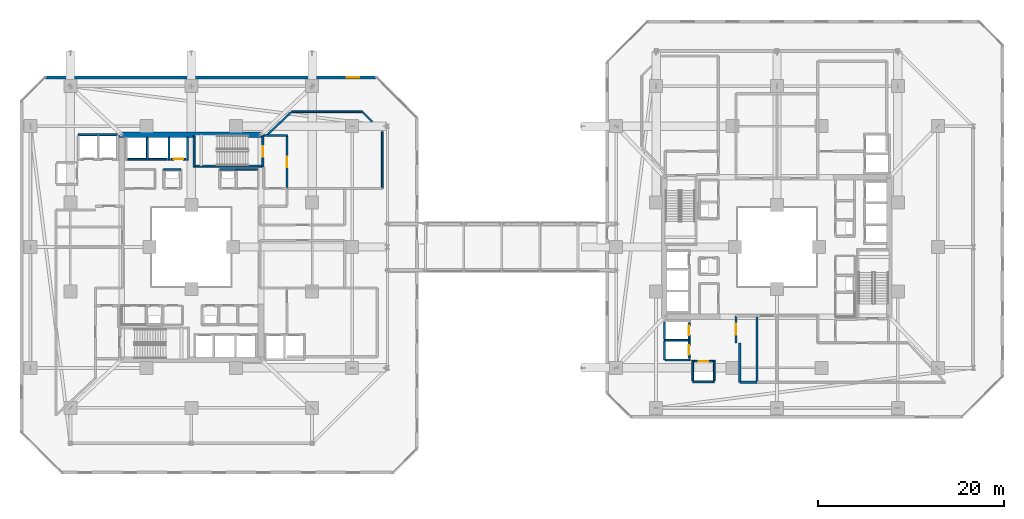
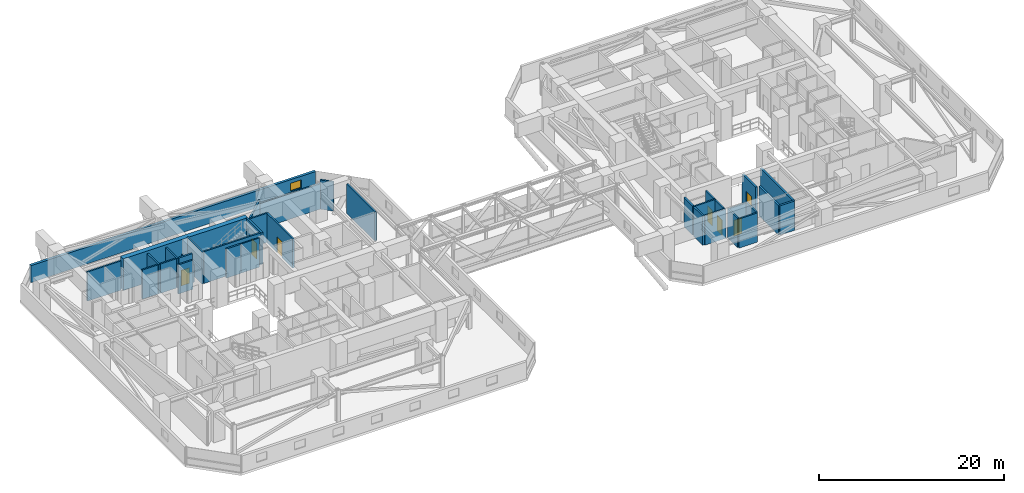
# One storey, part 32 of 38: 35 walls, 7 doors, 1 window, 8 openings.
"""IFC4 building model written with IfcOpenShell, lengths in metres."""

from ifc_helpers import new_model, si_unit, direction, frame, frame_2d, origin, place, context, subcontext, project, spatial, rectangle, extrude, material, layer, layer_set, type_object, element, fill, save


model = new_model("IFC4")

# Units and contexts
model_context = context("Model", 3, precision=1e-05, world=origin(), true_north=direction((0.0, 1.0)))
body_context = subcontext(model_context, "Body", "Model", "MODEL_VIEW")
ifc_project = project(units=[si_unit("LENGTHUNIT", "METRE"), si_unit("AREAUNIT", "SQUARE_METRE"), si_unit("VOLUMEUNIT", "CUBIC_METRE"), si_unit("PLANEANGLEUNIT", "RADIAN"), si_unit("MASSUNIT", "GRAM", prefix="KILO")], contexts=[model_context])

# Site, building, storey
site_placement = place(None, origin())
site = spatial("IfcSite", under=ifc_project, at=site_placement, CompositionType="ELEMENT")
building_placement = place(site_placement, origin())
building = spatial("IfcBuilding", under=site, at=building_placement, Name="Thornwick Lancets Civic Towers", CompositionType="ELEMENT")
storey_placement = place(building_placement, frame((0.0, 0.0, 71.699951171875)))
storey = spatial("IfcBuildingStorey", under=building, at=storey_placement, Name="L18", CompositionType="ELEMENT", Elevation=71.699951171875)

# Wall, opening, door
ifc_material_1 = material(Name="Concrete blockwork C40/50", Category="masonry")
ifc_layer_1 = layer(ifc_material_1, 0.199951171875, Name="Concrete blockwork C40/50")
ifc_layer_set_1 = layer_set([ifc_layer_1], Name="Concrete blockwork C40/50")
wall_type_1 = type_object("IfcWallType", Name="WALL_COMP_200", PredefinedType="STANDARD", material=ifc_layer_set_1)
wall_1_placement = place(storey_placement, frame((24.919921875, 36.449951171875, 0.0), z_axis=(0.0, 0.0, 1.0), x_axis=(-1.0, 0.0, 0.0)))
wall_1 = element("IfcWall", 1, at=wall_1_placement, inside=storey, type_object=wall_type_1, Name="L18 Hoistway Front Wall FL-A2", PredefinedType="STANDARD", context=body_context, shape_type="SweptSolid", body=[
    extrude(rectangle(XDim=1.639892578125, YDim=0.199951171875, at=frame_2d((0.81982421875, 0.0))), origin(), (0.0, 0.0, 1.0), 3.860107421875),
])
opening_1_placement = place(wall_1_placement, frame((0.31005859375, 0.0, 0.0)))
opening_1 = element("IfcOpeningElement", 2, at=opening_1_placement, cuts=wall_1, Name="Opening LD-FL-A2", PredefinedType="OPENING", context=body_context, shape_type="SweptSolid", body=[
    extrude(rectangle(XDim=1.02001953125, YDim=2.06005859375, at=frame_2d((0.510009765625, 1.030029296875))), frame((0.0, 0.10986328125, 0.0), z_axis=(0.0, -1.0, 0.0), x_axis=(1.0, 0.0, 0.0)), (0.0, 0.0, 1.0), 0.219970703125),
])
ifc_material_2 = material(Name="Brushed bronze stainless steel", Category="steel")
door_type_1 = type_object("IfcDoorType", Name="DOOR_LIFT_SLIDE", OperationType="SLIDING_TO_LEFT", PredefinedType="DOOR", material=ifc_material_2)
door_1_placement = place(opening_1_placement, origin())
door_1 = element("IfcDoor", 3, at=door_1_placement, inside=storey, type_object=door_type_1, Name="L18 Sliding Lift Landing Door LD-FL-A2", OperationType="SLIDING_TO_LEFT", OverallHeight=2.06005859375, OverallWidth=1.02001953125, PredefinedType="DOOR", context=body_context, shape_type="SweptSolid", body=[
    extrude(rectangle(XDim=1.02001953125, YDim=2.06005859375, at=frame_2d((0.510009765625, 1.030029296875))), frame((0.0, 0.02490234375, 0.0), z_axis=(0.0, -1.0, 0.0), x_axis=(1.0, 0.0, 0.0)), (0.0, 0.0, 1.0), 0.050048828125),
])
fill(opening_1, door_1)

# Walls
wall_2_placement = place(storey_placement, frame((22.919921875, 36.449951171875, 0.0), z_axis=(0.0, 0.0, 1.0), x_axis=(-1.0, 0.0, 0.0)))
element("IfcWall", 4, at=wall_2_placement, inside=storey, type_object=wall_type_1, Name="L18 Hoistway Front Wall PL-AH2", PredefinedType="STANDARD", context=body_context, shape_type="SweptSolid", body=[
    extrude(rectangle(XDim=1.989990234375, YDim=0.199951171875, at=frame_2d((0.9951171875, 0.0))), origin(), (0.0, 0.0, 1.0), 3.860107421875),
])
wall_3_placement = place(storey_placement, frame((20.6201171875, 36.449951171875, 0.0), z_axis=(0.0, 0.0, 1.0), x_axis=(-1.0, 0.0, 0.0)))
element("IfcWall", 5, at=wall_3_placement, inside=storey, type_object=wall_type_1, Name="L18 Hoistway Front Wall PL-AH3", PredefinedType="STANDARD", context=body_context, shape_type="SweptSolid", body=[
    extrude(rectangle(XDim=1.940185546875, YDim=0.199951171875, at=frame_2d((0.97021484375, 0.0))), origin(), (0.0, 0.0, 1.0), 3.860107421875),
])

# Wall, opening, door
wall_4_placement = place(storey_placement, frame((79.050048828125, 17.1298828125, 0.0), z_axis=(0.0, 0.0, 1.0), x_axis=(0.0, 1.0, 0.0)))
wall_4 = element("IfcWall", 6, at=wall_4_placement, inside=storey, type_object=wall_type_1, Name="L18 Hoistway Front Wall PL-BM1", PredefinedType="STANDARD", context=body_context, shape_type="SweptSolid", body=[
    extrude(rectangle(XDim=1.740234375, YDim=0.199951171875, at=frame_2d((0.8701171875, 0.0))), origin(), (0.0, 0.0, 1.0), 3.860107421875),
])
opening_2_placement = place(wall_4_placement, frame((0.360107421875, 0.0, 0.0)))
opening_2 = element("IfcOpeningElement", 7, at=opening_2_placement, cuts=wall_4, Name="Opening LD-PL-BM1", PredefinedType="OPENING", context=body_context, shape_type="SweptSolid", body=[
    extrude(rectangle(XDim=1.02001953125, YDim=2.06005859375, at=frame_2d((0.510009765625, 1.030029296875))), frame((0.0, 0.10986328125, 0.0), z_axis=(0.0, -1.0, 0.0), x_axis=(1.0, 0.0, 0.0)), (0.0, 0.0, 1.0), 0.219970703125),
])
door_2_placement = place(opening_2_placement, origin())
door_2 = element("IfcDoor", 8, at=door_2_placement, inside=storey, type_object=door_type_1, Name="L18 Sliding Lift Landing Door LD-PL-BM1", OperationType="SLIDING_TO_LEFT", OverallHeight=2.06005859375, OverallWidth=1.02001953125, PredefinedType="DOOR", context=body_context, shape_type="SweptSolid", body=[
    extrude(rectangle(XDim=1.02001953125, YDim=2.06005859375, at=frame_2d((0.510009765625, 1.030029296875))), frame((0.0, 0.02490234375, 0.0), z_axis=(0.0, -1.0, 0.0), x_axis=(1.0, 0.0, 0.0)), (0.0, 0.0, 1.0), 0.050048828125),
])
fill(opening_2, door_2)

wall_5_placement = place(storey_placement, frame((79.050048828125, 15.030029296875, 0.0), z_axis=(0.0, 0.0, 1.0), x_axis=(0.0, 1.0, 0.0)))
wall_5 = element("IfcWall", 9, at=wall_5_placement, inside=storey, type_object=wall_type_1, Name="L18 Hoistway Front Wall PL-BM2", PredefinedType="STANDARD", context=body_context, shape_type="SweptSolid", body=[
    extrude(rectangle(XDim=1.7900390625, YDim=0.199951171875, at=frame_2d((0.89501953125, 0.0))), origin(), (0.0, 0.0, 1.0), 3.860107421875),
])
opening_3_placement = place(wall_5_placement, frame((0.385009765625, 0.0, 0.0)))
opening_3 = element("IfcOpeningElement", 10, at=opening_3_placement, cuts=wall_5, Name="Opening LD-PL-BM2", PredefinedType="OPENING", context=body_context, shape_type="SweptSolid", body=[
    extrude(rectangle(XDim=1.02001953125, YDim=2.06005859375, at=frame_2d((0.510009765625, 1.030029296875))), frame((0.0, 0.10986328125, 0.0), z_axis=(0.0, -1.0, 0.0), x_axis=(1.0, 0.0, 0.0)), (0.0, 0.0, 1.0), 0.219970703125),
])
door_3_placement = place(opening_3_placement, origin())
door_3 = element("IfcDoor", 11, at=door_3_placement, inside=storey, type_object=door_type_1, Name="L18 Sliding Lift Landing Door LD-PL-BM2", OperationType="SLIDING_TO_LEFT", OverallHeight=2.06005859375, OverallWidth=1.02001953125, PredefinedType="DOOR", context=body_context, shape_type="SweptSolid", body=[
    extrude(rectangle(XDim=1.02001953125, YDim=2.06005859375, at=frame_2d((0.510009765625, 1.030029296875))), frame((0.0, 0.02490234375, 0.0), z_axis=(0.0, -1.0, 0.0), x_axis=(1.0, 0.0, 0.0)), (0.0, 0.0, 1.0), 0.050048828125),
])
fill(opening_3, door_3)

wall_6_placement = place(storey_placement, frame((79.6298828125, 14.699951171875, 0.0), z_axis=(0.0, 0.0, 1.0), x_axis=(1.0, 0.0, 0.0)))
wall_6 = element("IfcWall", 12, at=wall_6_placement, inside=storey, type_object=wall_type_1, Name="L18 Hoistway Front Wall PL-BM3", PredefinedType="STANDARD", context=body_context, shape_type="SweptSolid", body=[
    extrude(rectangle(XDim=1.940185546875, YDim=0.199951171875, at=frame_2d((0.97021484375, 0.0))), origin(), (0.0, 0.0, 1.0), 3.860107421875),
])
opening_4_placement = place(wall_6_placement, frame((0.4599609375, 0.0, 0.0)))
opening_4 = element("IfcOpeningElement", 13, at=opening_4_placement, cuts=wall_6, Name="Opening LD-PL-BM3", PredefinedType="OPENING", context=body_context, shape_type="SweptSolid", body=[
    extrude(rectangle(XDim=1.02001953125, YDim=2.06005859375, at=frame_2d((0.510009765625, 1.030029296875))), frame((0.0, 0.10986328125, 0.0), z_axis=(0.0, -1.0, 0.0), x_axis=(1.0, 0.0, 0.0)), (0.0, 0.0, 1.0), 0.219970703125),
])
door_4_placement = place(opening_4_placement, origin())
door_4 = element("IfcDoor", 14, at=door_4_placement, inside=storey, type_object=door_type_1, Name="L18 Sliding Lift Landing Door LD-PL-BM3", OperationType="SLIDING_TO_LEFT", OverallHeight=2.06005859375, OverallWidth=1.02001953125, PredefinedType="DOOR", context=body_context, shape_type="SweptSolid", body=[
    extrude(rectangle(XDim=1.02001953125, YDim=2.06005859375, at=frame_2d((0.510009765625, 1.030029296875))), frame((0.0, 0.02490234375, 0.0), z_axis=(0.0, -1.0, 0.0), x_axis=(1.0, 0.0, 0.0)), (0.0, 0.0, 1.0), 0.050048828125),
])
fill(opening_4, door_4)

# Walls
wall_7_placement = place(storey_placement, frame((25.10009765625, 36.35205078125, 0.0), z_axis=(0.0, 0.0, 1.0), x_axis=(0.0, 1.0, 0.0)))
element("IfcWall", 15, at=wall_7_placement, inside=storey, type_object=wall_type_1, Name="L18 Hoistway Shaft Wall FL-A2 E", PredefinedType="STANDARD", context=body_context, shape_type="SweptSolid", body=[
    extrude(rectangle(XDim=2.43603515625, YDim=0.199951171875, at=frame_2d((1.218017578125, 0.0))), origin(), (0.0, 0.0, 1.0), 2.28515625),
])
for number, where, z_axis, x_axis, name in (
    (16, (23.10009765625, 36.35205078125, 0.0), (0.0, 0.0, 1.0), (0.0, 1.0, 0.0), "L18 Hoistway Shaft Wall FL-A2 W"),
    (17, (20.77490234375, 36.35205078125, 0.0), (0.0, 0.0, 1.0), (0.0, 1.0, 0.0), "L18 Hoistway Shaft Wall PL-AH2 W"),
):
    element("IfcWall", number, at=place(storey_placement, frame(where, z_axis=z_axis, x_axis=x_axis)), inside=storey, type_object=wall_type_1, Name=name, PredefinedType="STANDARD", context=body_context, shape_type="SweptSolid", body=[
        extrude(rectangle(XDim=2.43603515625, YDim=0.199951171875, at=frame_2d((1.218017578125, 0.0))), origin(), (0.0, 0.0, 1.0), 3.860107421875),
    ])
wall_8_placement = place(storey_placement, frame((13.35205078125, 39.10009765625, 0.0), z_axis=(0.0, 0.0, 1.0), x_axis=(1.0, 0.0, 0.0)))
element("IfcWall", 18, at=wall_8_placement, inside=storey, type_object=wall_type_1, Name="L18 Hoistway Shaft Wall PL-AM1 N", PredefinedType="STANDARD", context=body_context, shape_type="SweptSolid", body=[
    extrude(rectangle(XDim=4.196044921875, YDim=0.199951171875, at=frame_2d((2.09814453125, 0.0))), origin(), (0.0, 0.0, 1.0), 3.860107421875),
])
wall_9_placement = place(storey_placement, frame((76.402099609375, 16.97509765625, 0.0), z_axis=(0.0, 0.0, 1.0), x_axis=(1.0, 0.0, 0.0)))
element("IfcWall", 19, at=wall_9_placement, inside=storey, type_object=wall_type_1, Name="L18 Hoistway Shaft Wall PL-BM1 S", PredefinedType="STANDARD", context=body_context, shape_type="SweptSolid", body=[
    extrude(rectangle(XDim=2.745849609375, YDim=0.199951171875, at=frame_2d((1.373046875, 0.0))), origin(), (0.0, 0.0, 1.0), 3.860107421875),
])
wall_10_placement = place(storey_placement, frame((76.39990234375, 14.85205078125, 0.0), z_axis=(0.0, 0.0, 1.0), x_axis=(0.0, 1.0, 0.0)))
element("IfcWall", 20, at=wall_10_placement, inside=storey, type_object=wall_type_1, Name="L18 Hoistway Shaft Wall PL-BM1 W", PredefinedType="STANDARD", context=body_context, shape_type="SweptSolid", body=[
    extrude(rectangle(XDim=2.015869140625, YDim=0.199951171875, at=frame_2d((1.0078125, 0.0))), origin(), (0.0, 0.0, 1.0), 3.860107421875),
])
wall_11_placement = place(storey_placement, frame((76.39990234375, 17.08203125, 0.0), z_axis=(0.0, 0.0, 1.0), x_axis=(0.0, 1.0, 0.0)))
element("IfcWall", 21, at=wall_11_placement, inside=storey, type_object=wall_type_1, Name="L18 Hoistway Shaft Wall PL-BM1 W", PredefinedType="STANDARD", context=body_context, shape_type="SweptSolid", body=[
    extrude(rectangle(XDim=1.85595703125, YDim=0.199951171875, at=frame_2d((0.927978515625, 0.0))), origin(), (0.0, 0.0, 1.0), 3.860107421875),
])
wall_12_placement = place(storey_placement, frame((76.511962890625, 14.85009765625, 0.0), z_axis=(0.0, 0.0, 1.0), x_axis=(1.0, 0.0, 0.0)))
element("IfcWall", 22, at=wall_12_placement, inside=storey, type_object=wall_type_1, Name="L18 Hoistway Shaft Wall PL-BM2 S", PredefinedType="STANDARD", context=body_context, shape_type="SweptSolid", body=[
    extrude(rectangle(XDim=2.635986328125, YDim=0.199951171875, at=frame_2d((1.31787109375, 0.0))), origin(), (0.0, 0.0, 1.0), 3.860107421875),
])
wall_13_placement = place(storey_placement, frame((79.451904296875, 12.5, 0.0), z_axis=(0.0, 0.0, 1.0), x_axis=(1.0, 0.0, 0.0)))
element("IfcWall", 23, at=wall_13_placement, inside=storey, type_object=wall_type_1, Name="L18 Hoistway Shaft Wall PL-BM3 S", PredefinedType="STANDARD", context=body_context, shape_type="SweptSolid", body=[
    extrude(rectangle(XDim=2.296142578125, YDim=0.199951171875, at=frame_2d((1.14794921875, 0.0))), origin(), (0.0, 0.0, 1.0), 3.860107421875),
])
for number, where, z_axis, x_axis, name in (
    (24, (81.75, 12.612060546875, 0.0), (0.0, 0.0, 1.0), (0.0, 1.0, 0.0), "L18 Hoistway Shaft Wall PL-BM3 E"),
    (25, (79.449951171875, 12.612060546875, 0.0), (0.0, 0.0, 1.0), (0.0, 1.0, 0.0), "L18 Hoistway Shaft Wall PL-BM3 W"),
):
    element("IfcWall", number, at=place(storey_placement, frame(where, z_axis=z_axis, x_axis=x_axis)), inside=storey, type_object=wall_type_1, Name=name, PredefinedType="STANDARD", context=body_context, shape_type="SweptSolid", body=[
        extrude(rectangle(XDim=2.18603515625, YDim=0.199951171875, at=frame_2d((1.093017578125, 0.0))), origin(), (0.0, 0.0, 1.0), 3.860107421875),
    ])

# Wall, opening, door
wall_14_placement = place(storey_placement, frame((35.800048828125, 33.300048828125, 0.0), z_axis=(0.0, 0.0, 1.0), x_axis=(0.0, 1.0, 0.0)))
wall_14 = element("IfcWall", 26, at=wall_14_placement, inside=storey, type_object=wall_type_1, Name="L18 Partition L18-A-FFLOB2 E2", PredefinedType="STANDARD", context=body_context, shape_type="SweptSolid", body=[
    extrude(rectangle(XDim=5.699951171875, YDim=0.199951171875, at=frame_2d((2.85009765625, 0.0))), origin(), (0.0, 0.0, 1.0), 3.860107421875),
])
opening_5_placement = place(wall_14_placement, frame((2.27490234375, 0.0, 0.0)))
opening_5 = element("IfcOpeningElement", 27, at=opening_5_placement, cuts=wall_14, Name="Opening D-L18-0876", PredefinedType="OPENING", context=body_context, shape_type="SweptSolid", body=[
    extrude(rectangle(XDim=1.14990234375, YDim=2.10009765625, at=frame_2d((0.574951171875, 1.050048828125))), frame((0.0, 0.10986328125, 0.0), z_axis=(0.0, -1.0, 0.0), x_axis=(1.0, 0.0, 0.0)), (0.0, 0.0, 1.0), 0.219970703125),
])
ifc_material_3 = material(Name="Glazed fire-resisting steel", Category="steel")
door_type_2 = type_object("IfcDoorType", Name="DOOR_LOBBY_FD60", OperationType="NOTDEFINED", PredefinedType="DOOR", material=ifc_material_3)
door_5_placement = place(opening_5_placement, origin())
door_5 = element("IfcDoor", 28, at=door_5_placement, inside=storey, type_object=door_type_2, Name="L18 Tower A Refuge Holding Area 2 Door", OperationType="SINGLE_SWING_LEFT", OverallHeight=2.10009765625, OverallWidth=1.14990234375, PredefinedType="DOOR", context=body_context, shape_type="SweptSolid", body=[
    extrude(rectangle(XDim=1.14990234375, YDim=2.10009765625, at=frame_2d((0.574951171875, 1.050048828125))), frame((0.0, 0.02490234375, 0.0), z_axis=(0.0, -1.0, 0.0), x_axis=(1.0, 0.0, 0.0)), (0.0, 0.0, 1.0), 0.050048828125),
])
fill(opening_5, door_5)

# Walls
wall_15_placement = place(storey_placement, frame((35.800048828125, 39.0, 0.0), z_axis=(0.0, 0.0, 1.0), x_axis=(-1.0, 0.0, 0.0)))
element("IfcWall", 29, at=wall_15_placement, inside=storey, type_object=wall_type_1, Name="L18 Partition L18-A-FFLOB2 E3", PredefinedType="STANDARD", context=body_context, shape_type="SweptSolid", body=[
    extrude(rectangle(XDim=2.5, YDim=0.199951171875, at=frame_2d((1.25, 0.0))), origin(), (0.0, 0.0, 1.0), 3.860107421875),
])
for number, where, z_axis, x_axis, name in (
    (30, (24.35009765625, 35.35009765625, 0.0), (0.0, 0.0, 1.0), (-1.0, 0.0, 0.0), "L18 Partition L18-A-DUCT2 E3"),
    (31, (30.35009765625, 35.35009765625, 0.0), (0.0, 0.0, 1.0), (-1.0, 0.0, 0.0), "L18 Partition L18-A-RISER2 E3"),
):
    element("IfcWall", number, at=place(storey_placement, frame(where, z_axis=z_axis, x_axis=x_axis)), inside=storey, type_object=wall_type_1, Name=name, PredefinedType="STANDARD", context=body_context, shape_type="SweptSolid", body=[
        extrude(rectangle(XDim=1.800048828125, YDim=0.199951171875, at=frame_2d((0.89990234375, 0.0))), origin(), (0.0, 0.0, 1.0), 3.860107421875),
    ])
wall_16_placement = place(storey_placement, frame((33.593017578125, 39.0, 0.0), z_axis=(0.0, 0.0, 1.0), x_axis=(0.726628146433, 0.68703095768, 0.0)))
element("IfcWall", 32, at=wall_16_placement, inside=storey, type_object=wall_type_1, Name="L18 Partition L18-A-REF2 E2", PredefinedType="STANDARD", context=body_context, shape_type="SweptSolid", body=[
    extrude(rectangle(XDim=3.711669921875, YDim=0.199951171875, at=frame_2d((1.85595703125, 0.0))), origin(), (0.0, 0.0, 1.0), 3.860107421875),
])
wall_17_placement = place(storey_placement, frame((36.2900390625, 41.550048828125, 0.0), z_axis=(0.0, 0.0, 1.0), x_axis=(1.0, 0.0, 0.0)))
element("IfcWall", 33, at=wall_17_placement, inside=storey, type_object=wall_type_1, Name="L18 Partition L18-A-REF2 E3", PredefinedType="STANDARD", context=body_context, shape_type="SweptSolid", body=[
    extrude(rectangle(XDim=7.615234375, YDim=0.199951171875, at=frame_2d((3.8076171875, 0.0))), origin(), (0.0, 0.0, 1.0), 3.364990234375),
])
wall_18_placement = place(storey_placement, frame((43.9052734375, 41.550048828125, 0.0), z_axis=(0.0, 0.0, 1.0), x_axis=(0.707106781187, -0.707106781187, 0.0)))
element("IfcWall", 34, at=wall_18_placement, inside=storey, type_object=wall_type_1, Name="L18 Partition L18-A-REF2 E4", PredefinedType="STANDARD", context=body_context, shape_type="SweptSolid", body=[
    extrude(rectangle(XDim=1.51318359375, YDim=0.199951171875, at=frame_2d((0.756591796875, 0.0))), origin(), (0.0, 0.0, 1.0), 3.860107421875),
])
wall_19_placement = place(storey_placement, frame((46.050048828125, 39.4052734375, 0.0), z_axis=(0.0, 0.0, 1.0), x_axis=(0.0, -1.0, 0.0)))
element("IfcWall", 35, at=wall_19_placement, inside=storey, type_object=wall_type_1, Name="L18 Partition L18-A-REF2 E9", PredefinedType="STANDARD", context=body_context, shape_type="SweptSolid", body=[
    extrude(rectangle(XDim=6.105224609375, YDim=0.199951171875, at=frame_2d((3.052734375, 0.0))), origin(), (0.0, 0.0, 1.0), 3.860107421875),
])
ifc_layer_2 = layer(ifc_material_1, 0.239990234375, Name="Concrete blockwork C40/50")
ifc_layer_set_2 = layer_set([ifc_layer_2], Name="Concrete blockwork C40/50")
wall_type_2 = type_object("IfcWallType", Name="WALL_COMP_240", PredefinedType="STANDARD", material=ifc_layer_set_2)
wall_20_placement = place(storey_placement, frame((86.35009765625, 12.449951171875, 0.0), z_axis=(0.0, 0.0, 1.0), x_axis=(0.0, 1.0, 0.0)))
element("IfcWall", 36, at=wall_20_placement, inside=storey, type_object=wall_type_2, Name="L18 Partition L18-B-PL-AHU E3", PredefinedType="STANDARD", context=body_context, shape_type="SweptSolid", body=[
    extrude(rectangle(XDim=7.150146484375, YDim=0.239990234375, at=frame_2d((3.5751953125, 0.0))), origin(), (0.0, 0.0, 1.0), 3.860107421875),
])

# Wall, opening, door
wall_21_placement = place(storey_placement, frame((84.10009765625, 16.699951171875, 0.0), z_axis=(0.0, 0.0, 1.0), x_axis=(0.0, 1.0, 0.0)))
wall_21 = element("IfcWall", 37, at=wall_21_placement, inside=storey, type_object=wall_type_2, Name="L18 Partition L18-B-PL-ELC E1", PredefinedType="STANDARD", context=body_context, shape_type="SweptSolid", body=[
    extrude(rectangle(XDim=2.900146484375, YDim=0.239990234375, at=frame_2d((1.4501953125, 0.0))), origin(), (0.0, 0.0, 1.0), 3.860107421875),
])
opening_6_placement = place(wall_21_placement, frame((0.85009765625, 0.0, 0.0)))
opening_6 = element("IfcOpeningElement", 38, at=opening_6_placement, cuts=wall_21, Name="Opening D-L18-0885", PredefinedType="OPENING", context=body_context, shape_type="SweptSolid", body=[
    extrude(rectangle(XDim=1.199951171875, YDim=2.10009765625, at=frame_2d((0.60009765625, 1.050048828125))), frame((0.0, 0.1298828125, 0.0), z_axis=(0.0, -1.0, 0.0), x_axis=(1.0, 0.0, 0.0)), (0.0, 0.0, 1.0), 0.260009765625),
])
ifc_material_4 = material(Name="Steel plant room doorset", Category="steel")
door_type_3 = type_object("IfcDoorType", Name="DOOR_PLANT_1200", OperationType="NOTDEFINED", PredefinedType="DOOR", material=ifc_material_4)
door_6_placement = place(opening_6_placement, origin())
door_6 = element("IfcDoor", 39, at=door_6_placement, inside=storey, type_object=door_type_3, Name="L18 Tower B LV Switchgear Room Door", OperationType="SINGLE_SWING_RIGHT", OverallHeight=2.10009765625, OverallWidth=1.199951171875, PredefinedType="DOOR", context=body_context, shape_type="SweptSolid", body=[
    extrude(rectangle(XDim=1.199951171875, YDim=2.10009765625, at=frame_2d((0.60009765625, 1.050048828125))), frame((0.0, 0.02490234375, 0.0), z_axis=(0.0, -1.0, 0.0), x_axis=(1.0, 0.0, 0.0)), (0.0, 0.0, 1.0), 0.050048828125),
])
fill(opening_6, door_6)

# Walls
wall_22_placement = place(storey_placement, frame((86.35009765625, 12.449951171875, 0.0), z_axis=(0.0, 0.0, 1.0), x_axis=(-1.0, 0.0, 0.0)))
element("IfcWall", 40, at=wall_22_placement, inside=storey, type_object=wall_type_2, Name="L18 Partition L18-B-PL-ELC E4", PredefinedType="STANDARD", context=body_context, shape_type="SweptSolid", body=[
    extrude(rectangle(XDim=1.85009765625, YDim=0.239990234375, at=frame_2d((0.925048828125, 0.0))), origin(), (0.0, 0.0, 1.0), 3.860107421875),
])
wall_23_placement = place(storey_placement, frame((84.5, 12.449951171875, 0.0), z_axis=(0.0, 0.0, 1.0), x_axis=(0.0, 1.0, 0.0)))
element("IfcWall", 41, at=wall_23_placement, inside=storey, type_object=wall_type_2, Name="L18 Partition L18-B-PL-ELC E5", PredefinedType="STANDARD", context=body_context, shape_type="SweptSolid", body=[
    extrude(rectangle(XDim=4.25, YDim=0.239990234375, at=frame_2d((2.125, 0.0))), origin(), (0.0, 0.0, 1.0), 3.860107421875),
])
ifc_material_5 = material(Name="Concrete C60/75", Category="concrete")
ifc_layer_3 = layer(ifc_material_5, 0.60009765625, Name="Concrete C60/75")
ifc_layer_set_3 = layer_set([ifc_layer_3], Name="Concrete C60/75")
wall_type_3 = type_object("IfcWallType", Name="WALL_CORE_600", PredefinedType="SHEAR", material=ifc_layer_set_3)
wall_24_placement = place(storey_placement, frame((17.699951171875, 39.10009765625, 0.0), z_axis=(0.0, 0.0, 1.0), x_axis=(1.0, 0.0, 0.0)))
element("IfcWall", 42, at=wall_24_placement, inside=storey, type_object=wall_type_3, Name="L18 Split Core A2 Shear Wall N", PredefinedType="SHEAR", context=body_context, shape_type="SweptSolid", body=[
    extrude(rectangle(XDim=15.60009765625, YDim=0.60009765625, at=frame_2d((7.800048828125, 0.0))), origin(), (0.0, 0.0, 1.0), 4.199951171875),
])

# Wall, opening, window
ifc_material_6 = material(Name="Insulated buff terracotta rainscreen on concrete C40/50", Category="masonry")
ifc_layer_4 = layer(ifc_material_6, 0.320068359375, Name="Insulated buff terracotta rainscreen on concrete C40/50")
ifc_layer_set_4 = layer_set([ifc_layer_4], Name="Insulated buff terracotta rainscreen on concrete C40/50")
wall_type_4 = type_object("IfcWallType", Name="WALL_EXT_TERRA_320", PredefinedType="STANDARD", material=ifc_layer_set_4)
wall_25_placement = place(storey_placement, frame((45.387939453125, 45.259033203125, 0.0), z_axis=(0.0, 0.0, 1.0), x_axis=(-0.999999986432, 0.000164732205, 0.0)))
wall_25 = element("IfcWall", 43, at=wall_25_placement, inside=storey, type_object=wall_type_4, Name="L18 Tower A Terracotta Facade Wall E4", PredefinedType="STANDARD", context=body_context, shape_type="SweptSolid", body=[
    extrude(rectangle(XDim=35.569091796875, YDim=0.320068359375, at=frame_2d((17.78466796875, 0.0))), origin(), (0.0, 0.0, 1.0), 2.239990234375),
])
opening_7_placement = place(wall_25_placement, frame((1.800048828125, 0.0, 0.719970703125)))
opening_7 = element("IfcOpeningElement", 44, at=opening_7_placement, cuts=wall_25, Name="Opening WL-03", PredefinedType="OPENING", context=body_context, shape_type="SweptSolid", body=[
    extrude(rectangle(XDim=1.35009765625, YDim=1.050048828125, at=frame_2d((0.675048828125, 0.52490234375))), frame((0.0, 0.169921875, 0.0), z_axis=(0.0, -1.0, 0.0), x_axis=(1.0, 0.0, 0.0)), (0.0, 0.0, 1.0), 0.340087890625),
])
ifc_material_7 = material(Name="Clear low-e double glazing clerestory lancet", Category="glass")
window_type = type_object("IfcWindowType", Name="WIN_LANCET_1350", PartitioningType="SINGLE_PANEL", PredefinedType="WINDOW", material=ifc_material_7)
window_placement = place(opening_7_placement, origin())
window = element("IfcWindow", 45, at=window_placement, inside=storey, type_object=window_type, Name="L18 Tower A Staggered Lancet Window E4-1", OverallHeight=1.050048828125, OverallWidth=1.35009765625, PartitioningType="SINGLE_PANEL", PredefinedType="WINDOW", context=body_context, shape_type="SweptSolid", body=[
    extrude(rectangle(XDim=1.35009765625, YDim=1.050048828125, at=frame_2d((0.675048828125, 0.52490234375))), frame((0.0, 0.030029296875, 0.0), z_axis=(0.0, -1.0, 0.0), x_axis=(1.0, 0.0, 0.0)), (0.0, 0.0, 1.0), 0.06005859375),
])
fill(opening_7, window)

# Wall
ifc_material_8 = material(Name="Twin-stud acoustic gypsum board")
ifc_layer_5 = layer(ifc_material_8, 0.14990234375, Name="Twin-stud acoustic gypsum board")
ifc_layer_set_5 = layer_set([ifc_layer_5], Name="Twin-stud acoustic gypsum board")
wall_type_5 = type_object("IfcWallType", Name="WALL_PART_150", PredefinedType="PARTITIONING", material=ifc_layer_set_5)
wall_26_placement = place(storey_placement, frame((30.35009765625, 35.35009765625, 0.0), z_axis=(0.0, 0.0, 1.0), x_axis=(1.0, 0.0, 0.0)))
element("IfcWall", 46, at=wall_26_placement, inside=storey, type_object=wall_type_5, Name="L18 Partition L18-A-FWC E4", PredefinedType="PARTITIONING", context=body_context, shape_type="SweptSolid", body=[
    extrude(rectangle(XDim=2.349853515625, YDim=0.14990234375, at=frame_2d((1.1748046875, 0.0))), origin(), (0.0, 0.0, 1.0), 3.860107421875),
])

# Wall, opening, door
ifc_material_9 = material(Name="Concrete C40/50", Category="concrete")
ifc_layer_6 = layer(ifc_material_9, 0.199951171875, Name="Concrete C40/50")
ifc_layer_set_6 = layer_set([ifc_layer_6], Name="Concrete C40/50")
wall_type_6 = type_object("IfcWallType", Name="WALL_SHAFT_200", PredefinedType="SHEAR", material=ifc_layer_set_6)
wall_27_placement = place(storey_placement, frame((33.199951171875, 38.949951171875, 0.0), z_axis=(0.0, 0.0, 1.0), x_axis=(0.0, -1.0, 0.0)))
wall_27 = element("IfcWall", 47, at=wall_27_placement, inside=storey, type_object=wall_type_6, Name="L18 ST-A2 Fire Stair Core Wall NEAR", PredefinedType="SHEAR", context=body_context, shape_type="SweptSolid", body=[
    extrude(rectangle(XDim=3.349853515625, YDim=0.199951171875, at=frame_2d((1.6748046875, 0.0))), origin(), (0.0, 0.0, 1.0), 4.199951171875),
])
opening_8_placement = place(wall_27_placement, frame((1.125, 0.0, 0.0)))
opening_8 = element("IfcOpeningElement", 48, at=opening_8_placement, cuts=wall_27, Name="Opening D-ST-A2-L18", PredefinedType="OPENING", context=body_context, shape_type="SweptSolid", body=[
    extrude(rectangle(XDim=1.10009765625, YDim=2.10009765625, at=frame_2d((0.550048828125, 1.050048828125))), frame((0.0, 0.10986328125, 0.0), z_axis=(0.0, -1.0, 0.0), x_axis=(1.0, 0.0, 0.0)), (0.0, 0.0, 1.0), 0.219970703125),
])
ifc_material_10 = material(Name="Fire-resisting steel and hardwood", Category="steel")
door_type_4 = type_object("IfcDoorType", Name="DOOR_STAIR_FD60", OperationType="NOTDEFINED", PredefinedType="DOOR", material=ifc_material_10)
door_7_placement = place(opening_8_placement, origin())
door_7 = element("IfcDoor", 49, at=door_7_placement, inside=storey, type_object=door_type_4, Name="L18 ST-A2 Exit Stair Door", OperationType="SINGLE_SWING_LEFT", OverallHeight=2.10009765625, OverallWidth=1.10009765625, PredefinedType="DOOR", context=body_context, shape_type="SweptSolid", body=[
    extrude(rectangle(XDim=1.10009765625, YDim=2.10009765625, at=frame_2d((0.550048828125, 1.050048828125))), frame((0.0, 0.02490234375, 0.0), z_axis=(0.0, -1.0, 0.0), x_axis=(1.0, 0.0, 0.0)), (0.0, 0.0, 1.0), 0.050048828125),
])
fill(opening_8, door_7)

# Walls
wall_28_placement = place(storey_placement, frame((25.800048828125, 35.60009765625, 0.0), z_axis=(0.0, 0.0, 1.0), x_axis=(0.0, 1.0, 0.0)))
element("IfcWall", 50, at=wall_28_placement, inside=storey, type_object=wall_type_6, Name="L18 ST-A2 Fire Stair Core Wall FAR", PredefinedType="SHEAR", context=body_context, shape_type="SweptSolid", body=[
    extrude(rectangle(XDim=3.349853515625, YDim=0.199951171875, at=frame_2d((1.6748046875, 0.0))), origin(), (0.0, 0.0, 1.0), 4.199951171875),
])
wall_29_placement = place(storey_placement, frame((25.949951171875, 35.702880859375, 0.0), z_axis=(0.0, 0.0, 1.0), x_axis=(1.0, 0.0, 0.0)))
element("IfcWall", 51, at=wall_29_placement, inside=storey, type_object=wall_type_6, Name="L18 ST-A2 Fire Stair Core Wall RIGHT", PredefinedType="SHEAR", context=body_context, shape_type="SweptSolid", body=[
    extrude(rectangle(XDim=7.10009765625, YDim=0.199951171875, at=frame_2d((3.550048828125, 0.0))), origin(), (0.0, 0.0, 1.0), 4.199951171875),
])

save(model, "model.ifc")
